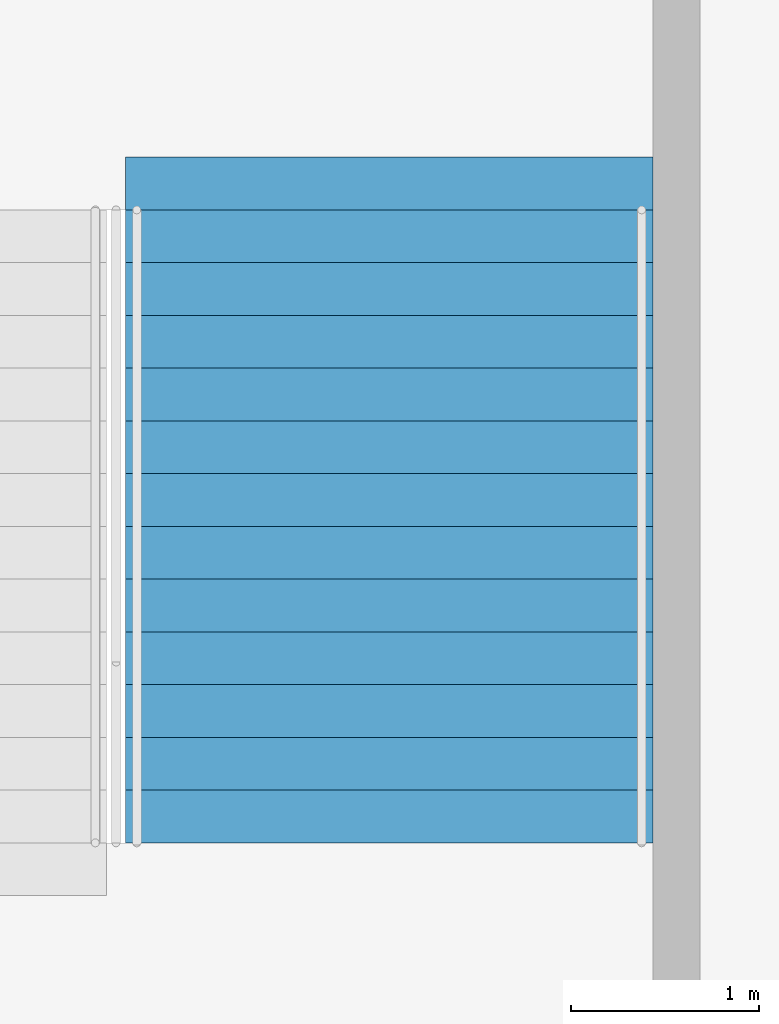
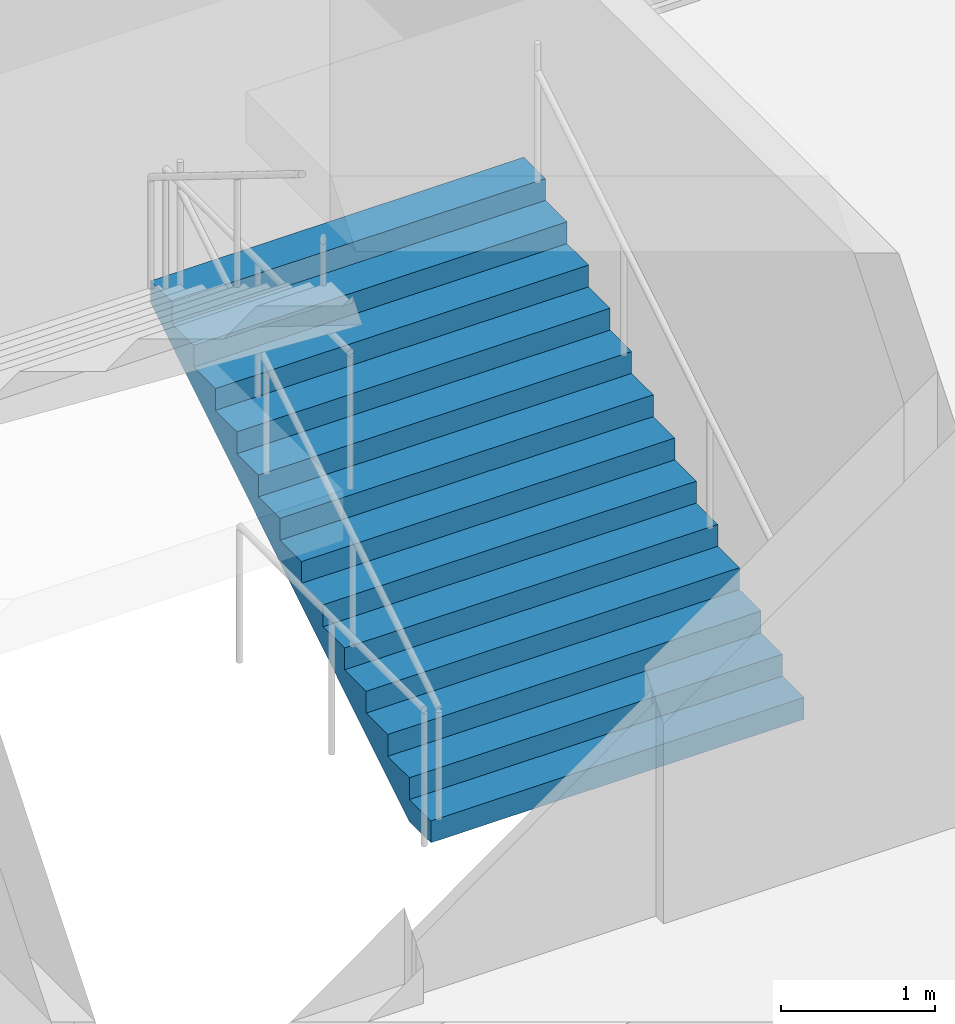
# One storey, part 165 of 199: 1 stair flight, 1 element without a shape of its own.
"""IFC4 building model written with IfcOpenShell, lengths in metres."""

from ifc_helpers import new_model, si_unit, direction, frame, origin, place, context, subcontext, project, spatial, faceted_brep, material, type_object, element, aggregate, save


model = new_model("IFC4")

# Units and contexts
model_context = context("Model", 3, precision=1e-05, world=origin(), true_north=direction((0.0, 1.0)))
body_context = subcontext(model_context, "Body", "Model", "MODEL_VIEW")
ifc_project = project(units=[si_unit("LENGTHUNIT", "METRE"), si_unit("AREAUNIT", "SQUARE_METRE"), si_unit("VOLUMEUNIT", "CUBIC_METRE"), si_unit("PLANEANGLEUNIT", "RADIAN"), si_unit("MASSUNIT", "GRAM", prefix="KILO")], contexts=[model_context])

# Site, building, storey
site_placement = place(None, origin())
site = spatial("IfcSite", under=ifc_project, at=site_placement, CompositionType="ELEMENT")
building_placement = place(site_placement, origin())
building = spatial("IfcBuilding", under=site, at=building_placement, Name="Ogive Plaza Stadium", CompositionType="ELEMENT")
storey_placement = place(building_placement, frame((0.0, 0.0, 4.5)))
storey = spatial("IfcBuildingStorey", under=building, at=storey_placement, Name="L01", CompositionType="ELEMENT", Elevation=4.5)

# Stair, stair flight
ifc_material_1 = material(Name="Concrete C40/50", Category="concrete")
stair_type = type_object("IfcStairType", Name="Exit stair", PredefinedType="STRAIGHT_RUN_STAIR", material=ifc_material_1)
stair_placement = place(storey_placement, origin())
stair = element("IfcStair", 1, at=stair_placement, inside=storey, type_object=stair_type, Name="Exit stair ST32A L01 to L02", PredefinedType="STRAIGHT_RUN_STAIR")
ifc_material_2 = material(Name="Concrete C40/50", Category="concrete")
stair_flight_type = type_object("IfcStairFlightType", Name="Exit stair flight", PredefinedType="STRAIGHT", material=ifc_material_2)
stair_flight_placement = place(storey_placement, frame((-29.574951171875, 94.85009765625, 0.0), z_axis=(0.0, 0.0, 1.0), x_axis=(0.0, 1.0, 0.0)))
stair_flight = element("IfcStairFlight", 2, at=stair_flight_placement, type_object=stair_flight_type, Name="ST32A flight 1", NumberOfRisers=13, NumberOfTreads=12, PredefinedType="STRAIGHT", RiserHeight=0.173076923, TreadLength=0.28, context=body_context, shape_type="Brep", body=[
    faceted_brep([(0.28515625, -1.39990234375, 0.0), (3.639892578125, -1.39990234375, 2.07373046875), (3.639892578125, -1.39990234375, 2.25), (3.360107421875, -1.39990234375, 2.25), (3.360107421875, -1.39990234375, 2.076904296875), (3.080078125, -1.39990234375, 2.076904296875), (3.080078125, -1.39990234375, 1.90380859375), (2.800048828125, -1.39990234375, 1.90380859375), (2.800048828125, -1.39990234375, 1.730712890625), (2.52001953125, -1.39990234375, 1.730712890625), (2.52001953125, -1.39990234375, 1.5576171875), (2.239990234375, -1.39990234375, 1.5576171875), (2.239990234375, -1.39990234375, 1.384521484375), (1.9599609375, -1.39990234375, 1.384521484375), (1.9599609375, -1.39990234375, 1.21142578125), (1.679931640625, -1.39990234375, 1.21142578125), (1.679931640625, -1.39990234375, 1.03857421875), (1.39990234375, -1.39990234375, 1.03857421875), (1.39990234375, -1.39990234375, 0.865478515625), (1.1201171875, -1.39990234375, 0.865478515625), (1.1201171875, -1.39990234375, 0.6923828125), (0.840087890625, -1.39990234375, 0.6923828125), (0.840087890625, -1.39990234375, 0.519287109375), (0.56005859375, -1.39990234375, 0.519287109375), (0.56005859375, -1.39990234375, 0.34619140625), (0.280029296875, -1.39990234375, 0.34619140625), (0.280029296875, -1.39990234375, 0.173095703125), (0.0, -1.39990234375, 0.173095703125), (0.0, -1.39990234375, 0.0), (0.0, 1.39990234375, 0.0), (0.0, 1.39990234375, 0.173095703125), (0.280029296875, 1.39990234375, 0.173095703125), (0.280029296875, 1.39990234375, 0.34619140625), (0.56005859375, 1.39990234375, 0.34619140625), (0.56005859375, 1.39990234375, 0.519287109375), (0.840087890625, 1.39990234375, 0.519287109375), (0.840087890625, 1.39990234375, 0.6923828125), (1.1201171875, 1.39990234375, 0.6923828125), (1.1201171875, 1.39990234375, 0.865478515625), (1.39990234375, 1.39990234375, 0.865478515625), (1.39990234375, 1.39990234375, 1.03857421875), (1.679931640625, 1.39990234375, 1.03857421875), (1.679931640625, 1.39990234375, 1.21142578125), (1.9599609375, 1.39990234375, 1.21142578125), (1.9599609375, 1.39990234375, 1.384521484375), (2.239990234375, 1.39990234375, 1.384521484375), (2.239990234375, 1.39990234375, 1.5576171875), (2.52001953125, 1.39990234375, 1.5576171875), (2.52001953125, 1.39990234375, 1.730712890625), (2.800048828125, 1.39990234375, 1.730712890625), (2.800048828125, 1.39990234375, 1.90380859375), (3.080078125, 1.39990234375, 1.90380859375), (3.080078125, 1.39990234375, 2.076904296875), (3.360107421875, 1.39990234375, 2.076904296875), (3.360107421875, 1.39990234375, 2.25), (3.639892578125, 1.39990234375, 2.25), (3.639892578125, 1.39990234375, 2.07373046875), (0.28515625, 1.39990234375, 0.0), (0.28515625, -1.0888671875, 0.0), (3.639892578125, -1.0888671875, 2.07373046875), (0.28515625, -0.77783203125, 0.0), (3.639892578125, -0.77783203125, 2.07373046875), (0.28515625, -0.466796875, 0.0), (3.639892578125, -0.466796875, 2.07373046875), (0.28515625, -0.155517578125, 0.0), (3.639892578125, -0.155517578125, 2.07373046875), (0.28515625, 0.155517578125, 0.0), (3.639892578125, 0.155517578125, 2.07373046875), (0.28515625, 0.466796875, 0.0), (3.639892578125, 0.466796875, 2.07373046875), (0.28515625, 0.77783203125, 0.0), (3.639892578125, 0.77783203125, 2.07373046875), (0.28515625, 1.0888671875, 0.0), (3.639892578125, 1.0888671875, 2.07373046875), (3.639892578125, -1.0888671875, 2.25), (3.639892578125, -0.77783203125, 2.25), (3.639892578125, -0.466796875, 2.25), (3.639892578125, -0.155517578125, 2.25), (3.639892578125, 0.155517578125, 2.25), (3.639892578125, 0.466796875, 2.25), (3.639892578125, 0.77783203125, 2.25), (3.639892578125, 1.0888671875, 2.25), (3.360107421875, -1.0888671875, 2.25), (3.360107421875, -0.77783203125, 2.25), (3.360107421875, -0.466796875, 2.25), (3.360107421875, -0.155517578125, 2.25), (3.360107421875, 0.155517578125, 2.25), (3.360107421875, 0.466796875, 2.25), (3.360107421875, 0.77783203125, 2.25), (3.360107421875, 1.0888671875, 2.25), (3.360107421875, -1.0888671875, 2.076904296875), (3.360107421875, -0.77783203125, 2.076904296875), (3.360107421875, -0.466796875, 2.076904296875), (3.360107421875, -0.155517578125, 2.076904296875), (3.360107421875, 0.155517578125, 2.076904296875), (3.360107421875, 0.466796875, 2.076904296875), (3.360107421875, 0.77783203125, 2.076904296875), (3.360107421875, 1.0888671875, 2.076904296875), (3.080078125, -1.0888671875, 2.076904296875), (3.080078125, -0.77783203125, 2.076904296875), (3.080078125, -0.466796875, 2.076904296875), (3.080078125, -0.155517578125, 2.076904296875), (3.080078125, 0.155517578125, 2.076904296875), (3.080078125, 0.466796875, 2.076904296875), (3.080078125, 0.77783203125, 2.076904296875), (3.080078125, 1.0888671875, 2.076904296875), (3.080078125, -1.0888671875, 1.90380859375), (3.080078125, -0.77783203125, 1.90380859375), (3.080078125, -0.466796875, 1.90380859375), (3.080078125, -0.155517578125, 1.90380859375), (3.080078125, 0.155517578125, 1.90380859375), (3.080078125, 0.466796875, 1.90380859375), (3.080078125, 0.77783203125, 1.90380859375), (3.080078125, 1.0888671875, 1.90380859375), (2.800048828125, -1.0888671875, 1.90380859375), (2.800048828125, -0.77783203125, 1.90380859375), (2.800048828125, -0.466796875, 1.90380859375), (2.800048828125, -0.155517578125, 1.90380859375), (2.800048828125, 0.155517578125, 1.90380859375), (2.800048828125, 0.466796875, 1.90380859375), (2.800048828125, 0.77783203125, 1.90380859375), (2.800048828125, 1.0888671875, 1.90380859375), (2.800048828125, -1.0888671875, 1.730712890625), (2.800048828125, -0.77783203125, 1.730712890625), (2.800048828125, -0.466796875, 1.730712890625), (2.800048828125, -0.155517578125, 1.730712890625), (2.800048828125, 0.155517578125, 1.730712890625), (2.800048828125, 0.466796875, 1.730712890625), (2.800048828125, 0.77783203125, 1.730712890625), (2.800048828125, 1.0888671875, 1.730712890625), (2.52001953125, -1.0888671875, 1.730712890625), (2.52001953125, -0.77783203125, 1.730712890625), (2.52001953125, -0.466796875, 1.730712890625), (2.52001953125, -0.155517578125, 1.730712890625), (2.52001953125, 0.155517578125, 1.730712890625), (2.52001953125, 0.466796875, 1.730712890625), (2.52001953125, 0.77783203125, 1.730712890625), (2.52001953125, 1.0888671875, 1.730712890625), (2.52001953125, -1.0888671875, 1.5576171875), (2.52001953125, -0.77783203125, 1.5576171875), (2.52001953125, -0.466796875, 1.5576171875), (2.52001953125, -0.155517578125, 1.5576171875), (2.52001953125, 0.155517578125, 1.5576171875), (2.52001953125, 0.466796875, 1.5576171875), (2.52001953125, 0.77783203125, 1.5576171875), (2.52001953125, 1.0888671875, 1.5576171875), (2.239990234375, -1.0888671875, 1.5576171875), (2.239990234375, -0.77783203125, 1.5576171875), (2.239990234375, -0.466796875, 1.5576171875), (2.239990234375, -0.155517578125, 1.5576171875), (2.239990234375, 0.155517578125, 1.5576171875), (2.239990234375, 0.466796875, 1.5576171875), (2.239990234375, 0.77783203125, 1.5576171875), (2.239990234375, 1.0888671875, 1.5576171875), (2.239990234375, -1.0888671875, 1.384521484375), (2.239990234375, -0.77783203125, 1.384521484375), (2.239990234375, -0.466796875, 1.384521484375), (2.239990234375, -0.155517578125, 1.384521484375), (2.239990234375, 0.155517578125, 1.384521484375), (2.239990234375, 0.466796875, 1.384521484375), (2.239990234375, 0.77783203125, 1.384521484375), (2.239990234375, 1.0888671875, 1.384521484375), (1.9599609375, -1.0888671875, 1.384521484375), (1.9599609375, -0.77783203125, 1.384521484375), (1.9599609375, -0.466796875, 1.384521484375), (1.9599609375, -0.155517578125, 1.384521484375), (1.9599609375, 0.155517578125, 1.384521484375), (1.9599609375, 0.466796875, 1.384521484375), (1.9599609375, 0.77783203125, 1.384521484375), (1.9599609375, 1.0888671875, 1.384521484375), (1.9599609375, -1.0888671875, 1.21142578125), (1.9599609375, -0.77783203125, 1.21142578125), (1.9599609375, -0.466796875, 1.21142578125), (1.9599609375, -0.155517578125, 1.21142578125), (1.9599609375, 0.155517578125, 1.21142578125), (1.9599609375, 0.466796875, 1.21142578125), (1.9599609375, 0.77783203125, 1.21142578125), (1.9599609375, 1.0888671875, 1.21142578125), (1.679931640625, -1.0888671875, 1.21142578125), (1.679931640625, -0.77783203125, 1.21142578125), (1.679931640625, -0.466796875, 1.21142578125), (1.679931640625, -0.155517578125, 1.21142578125), (1.679931640625, 0.155517578125, 1.21142578125), (1.679931640625, 0.466796875, 1.21142578125), (1.679931640625, 0.77783203125, 1.21142578125), (1.679931640625, 1.0888671875, 1.21142578125), (1.679931640625, -1.0888671875, 1.03857421875), (1.679931640625, -0.77783203125, 1.03857421875), (1.679931640625, -0.466796875, 1.03857421875), (1.679931640625, -0.155517578125, 1.03857421875), (1.679931640625, 0.155517578125, 1.03857421875), (1.679931640625, 0.466796875, 1.03857421875), (1.679931640625, 0.77783203125, 1.03857421875), (1.679931640625, 1.0888671875, 1.03857421875), (1.39990234375, -1.0888671875, 1.03857421875), (1.39990234375, -0.77783203125, 1.03857421875), (1.39990234375, -0.466796875, 1.03857421875), (1.39990234375, -0.155517578125, 1.03857421875), (1.39990234375, 0.155517578125, 1.03857421875), (1.39990234375, 0.466796875, 1.03857421875), (1.39990234375, 0.77783203125, 1.03857421875), (1.39990234375, 1.0888671875, 1.03857421875), (1.39990234375, -1.0888671875, 0.865478515625), (1.39990234375, -0.77783203125, 0.865478515625), (1.39990234375, -0.466796875, 0.865478515625), (1.39990234375, -0.155517578125, 0.865478515625), (1.39990234375, 0.155517578125, 0.865478515625), (1.39990234375, 0.466796875, 0.865478515625), (1.39990234375, 0.77783203125, 0.865478515625), (1.39990234375, 1.0888671875, 0.865478515625), (1.1201171875, -1.0888671875, 0.865478515625), (1.1201171875, -0.77783203125, 0.865478515625), (1.1201171875, -0.466796875, 0.865478515625), (1.1201171875, -0.155517578125, 0.865478515625), (1.1201171875, 0.155517578125, 0.865478515625), (1.1201171875, 0.466796875, 0.865478515625), (1.1201171875, 0.77783203125, 0.865478515625), (1.1201171875, 1.0888671875, 0.865478515625), (1.1201171875, -1.0888671875, 0.6923828125), (1.1201171875, -0.77783203125, 0.6923828125), (1.1201171875, -0.466796875, 0.6923828125), (1.1201171875, -0.155517578125, 0.6923828125), (1.1201171875, 0.155517578125, 0.6923828125), (1.1201171875, 0.466796875, 0.6923828125), (1.1201171875, 0.77783203125, 0.6923828125), (1.1201171875, 1.0888671875, 0.6923828125), (0.840087890625, -1.0888671875, 0.6923828125), (0.840087890625, -0.77783203125, 0.6923828125), (0.840087890625, -0.466796875, 0.6923828125), (0.840087890625, -0.155517578125, 0.6923828125), (0.840087890625, 0.155517578125, 0.6923828125), (0.840087890625, 0.466796875, 0.6923828125), (0.840087890625, 0.77783203125, 0.6923828125), (0.840087890625, 1.0888671875, 0.6923828125), (0.840087890625, -1.0888671875, 0.519287109375), (0.840087890625, -0.77783203125, 0.519287109375), (0.840087890625, -0.466796875, 0.519287109375), (0.840087890625, -0.155517578125, 0.519287109375), (0.840087890625, 0.155517578125, 0.519287109375), (0.840087890625, 0.466796875, 0.519287109375), (0.840087890625, 0.77783203125, 0.519287109375), (0.840087890625, 1.0888671875, 0.519287109375), (0.56005859375, -1.0888671875, 0.519287109375), (0.56005859375, -0.77783203125, 0.519287109375), (0.56005859375, -0.466796875, 0.519287109375), (0.56005859375, -0.155517578125, 0.519287109375), (0.56005859375, 0.155517578125, 0.519287109375), (0.56005859375, 0.466796875, 0.519287109375), (0.56005859375, 0.77783203125, 0.519287109375), (0.56005859375, 1.0888671875, 0.519287109375), (0.56005859375, -1.0888671875, 0.34619140625), (0.56005859375, -0.77783203125, 0.34619140625), (0.56005859375, -0.466796875, 0.34619140625), (0.56005859375, -0.155517578125, 0.34619140625), (0.56005859375, 0.155517578125, 0.34619140625), (0.56005859375, 0.466796875, 0.34619140625), (0.56005859375, 0.77783203125, 0.34619140625), (0.56005859375, 1.0888671875, 0.34619140625), (0.280029296875, -1.0888671875, 0.34619140625), (0.280029296875, -0.77783203125, 0.34619140625), (0.280029296875, -0.466796875, 0.34619140625), (0.280029296875, -0.155517578125, 0.34619140625), (0.280029296875, 0.155517578125, 0.34619140625), (0.280029296875, 0.466796875, 0.34619140625), (0.280029296875, 0.77783203125, 0.34619140625), (0.280029296875, 1.0888671875, 0.34619140625), (0.280029296875, -1.0888671875, 0.173095703125), (0.280029296875, -0.77783203125, 0.173095703125), (0.280029296875, -0.466796875, 0.173095703125), (0.280029296875, -0.155517578125, 0.173095703125), (0.280029296875, 0.155517578125, 0.173095703125), (0.280029296875, 0.466796875, 0.173095703125), (0.280029296875, 0.77783203125, 0.173095703125), (0.280029296875, 1.0888671875, 0.173095703125), (0.0, -1.0888671875, 0.173095703125), (0.0, -0.77783203125, 0.173095703125), (0.0, -0.466796875, 0.173095703125), (0.0, -0.155517578125, 0.173095703125), (0.0, 0.155517578125, 0.173095703125), (0.0, 0.466796875, 0.173095703125), (0.0, 0.77783203125, 0.173095703125), (0.0, 1.0888671875, 0.173095703125), (0.0, -1.0888671875, 0.0), (0.0, -0.77783203125, 0.0), (0.0, -0.466796875, 0.0), (0.0, -0.155517578125, 0.0), (0.0, 0.155517578125, 0.0), (0.0, 0.466796875, 0.0), (0.0, 0.77783203125, 0.0), (0.0, 1.0888671875, 0.0)], [[[0, 1, 2, 3, 4, 5, 6, 7, 8, 9, 10, 11, 12, 13, 14, 15, 16, 17, 18, 19, 20, 21, 22, 23, 24, 25, 26, 27, 28]], [[29, 30, 31, 32, 33, 34, 35, 36, 37, 38, 39, 40, 41, 42, 43, 44, 45, 46, 47, 48, 49, 50, 51, 52, 53, 54, 55, 56, 57]], [[0, 58, 59, 1]], [[58, 60, 61, 59]], [[60, 62, 63, 61]], [[62, 64, 65, 63]], [[64, 66, 67, 65]], [[66, 68, 69, 67]], [[68, 70, 71, 69]], [[70, 72, 73, 71]], [[72, 57, 56, 73]], [[1, 59, 74, 2]], [[59, 61, 75, 74]], [[61, 63, 76, 75]], [[63, 65, 77, 76]], [[65, 67, 78, 77]], [[67, 69, 79, 78]], [[69, 71, 80, 79]], [[71, 73, 81, 80]], [[73, 56, 55, 81]], [[2, 74, 82, 3]], [[74, 75, 83, 82]], [[75, 76, 84, 83]], [[76, 77, 85, 84]], [[77, 78, 86, 85]], [[78, 79, 87, 86]], [[79, 80, 88, 87]], [[80, 81, 89, 88]], [[81, 55, 54, 89]], [[3, 82, 90, 4]], [[82, 83, 91, 90]], [[83, 84, 92, 91]], [[84, 85, 93, 92]], [[85, 86, 94, 93]], [[86, 87, 95, 94]], [[87, 88, 96, 95]], [[88, 89, 97, 96]], [[89, 54, 53, 97]], [[4, 90, 98, 5]], [[90, 91, 99, 98]], [[91, 92, 100, 99]], [[92, 93, 101, 100]], [[93, 94, 102, 101]], [[94, 95, 103, 102]], [[95, 96, 104, 103]], [[96, 97, 105, 104]], [[97, 53, 52, 105]], [[5, 98, 106, 6]], [[98, 99, 107, 106]], [[99, 100, 108, 107]], [[100, 101, 109, 108]], [[101, 102, 110, 109]], [[102, 103, 111, 110]], [[103, 104, 112, 111]], [[104, 105, 113, 112]], [[105, 52, 51, 113]], [[6, 106, 114, 7]], [[106, 107, 115, 114]], [[107, 108, 116, 115]], [[108, 109, 117, 116]], [[109, 110, 118, 117]], [[110, 111, 119, 118]], [[111, 112, 120, 119]], [[112, 113, 121, 120]], [[113, 51, 50, 121]], [[7, 114, 122, 8]], [[114, 115, 123, 122]], [[115, 116, 124, 123]], [[116, 117, 125, 124]], [[117, 118, 126, 125]], [[118, 119, 127, 126]], [[119, 120, 128, 127]], [[120, 121, 129, 128]], [[121, 50, 49, 129]], [[8, 122, 130, 9]], [[122, 123, 131, 130]], [[123, 124, 132, 131]], [[124, 125, 133, 132]], [[125, 126, 134, 133]], [[126, 127, 135, 134]], [[127, 128, 136, 135]], [[128, 129, 137, 136]], [[129, 49, 48, 137]], [[9, 130, 138, 10]], [[130, 131, 139, 138]], [[131, 132, 140, 139]], [[132, 133, 141, 140]], [[133, 134, 142, 141]], [[134, 135, 143, 142]], [[135, 136, 144, 143]], [[136, 137, 145, 144]], [[137, 48, 47, 145]], [[10, 138, 146, 11]], [[138, 139, 147, 146]], [[139, 140, 148, 147]], [[140, 141, 149, 148]], [[141, 142, 150, 149]], [[142, 143, 151, 150]], [[143, 144, 152, 151]], [[144, 145, 153, 152]], [[145, 47, 46, 153]], [[11, 146, 154, 12]], [[146, 147, 155, 154]], [[147, 148, 156, 155]], [[148, 149, 157, 156]], [[149, 150, 158, 157]], [[150, 151, 159, 158]], [[151, 152, 160, 159]], [[152, 153, 161, 160]], [[153, 46, 45, 161]], [[12, 154, 162, 13]], [[154, 155, 163, 162]], [[155, 156, 164, 163]], [[156, 157, 165, 164]], [[157, 158, 166, 165]], [[158, 159, 167, 166]], [[159, 160, 168, 167]], [[160, 161, 169, 168]], [[161, 45, 44, 169]], [[13, 162, 170, 14]], [[162, 163, 171, 170]], [[163, 164, 172, 171]], [[164, 165, 173, 172]], [[165, 166, 174, 173]], [[166, 167, 175, 174]], [[167, 168, 176, 175]], [[168, 169, 177, 176]], [[169, 44, 43, 177]], [[14, 170, 178, 15]], [[170, 171, 179, 178]], [[171, 172, 180, 179]], [[172, 173, 181, 180]], [[173, 174, 182, 181]], [[174, 175, 183, 182]], [[175, 176, 184, 183]], [[176, 177, 185, 184]], [[177, 43, 42, 185]], [[15, 178, 186, 16]], [[178, 179, 187, 186]], [[179, 180, 188, 187]], [[180, 181, 189, 188]], [[181, 182, 190, 189]], [[182, 183, 191, 190]], [[183, 184, 192, 191]], [[184, 185, 193, 192]], [[185, 42, 41, 193]], [[16, 186, 194, 17]], [[186, 187, 195, 194]], [[187, 188, 196, 195]], [[188, 189, 197, 196]], [[189, 190, 198, 197]], [[190, 191, 199, 198]], [[191, 192, 200, 199]], [[192, 193, 201, 200]], [[193, 41, 40, 201]], [[17, 194, 202, 18]], [[194, 195, 203, 202]], [[195, 196, 204, 203]], [[196, 197, 205, 204]], [[197, 198, 206, 205]], [[198, 199, 207, 206]], [[199, 200, 208, 207]], [[200, 201, 209, 208]], [[201, 40, 39, 209]], [[18, 202, 210, 19]], [[202, 203, 211, 210]], [[203, 204, 212, 211]], [[204, 205, 213, 212]], [[205, 206, 214, 213]], [[206, 207, 215, 214]], [[207, 208, 216, 215]], [[208, 209, 217, 216]], [[209, 39, 38, 217]], [[19, 210, 218, 20]], [[210, 211, 219, 218]], [[211, 212, 220, 219]], [[212, 213, 221, 220]], [[213, 214, 222, 221]], [[214, 215, 223, 222]], [[215, 216, 224, 223]], [[216, 217, 225, 224]], [[217, 38, 37, 225]], [[20, 218, 226, 21]], [[218, 219, 227, 226]], [[219, 220, 228, 227]], [[220, 221, 229, 228]], [[221, 222, 230, 229]], [[222, 223, 231, 230]], [[223, 224, 232, 231]], [[224, 225, 233, 232]], [[225, 37, 36, 233]], [[21, 226, 234, 22]], [[226, 227, 235, 234]], [[227, 228, 236, 235]], [[228, 229, 237, 236]], [[229, 230, 238, 237]], [[230, 231, 239, 238]], [[231, 232, 240, 239]], [[232, 233, 241, 240]], [[233, 36, 35, 241]], [[22, 234, 242, 23]], [[234, 235, 243, 242]], [[235, 236, 244, 243]], [[236, 237, 245, 244]], [[237, 238, 246, 245]], [[238, 239, 247, 246]], [[239, 240, 248, 247]], [[240, 241, 249, 248]], [[241, 35, 34, 249]], [[23, 242, 250, 24]], [[242, 243, 251, 250]], [[243, 244, 252, 251]], [[244, 245, 253, 252]], [[245, 246, 254, 253]], [[246, 247, 255, 254]], [[247, 248, 256, 255]], [[248, 249, 257, 256]], [[249, 34, 33, 257]], [[24, 250, 258, 25]], [[250, 251, 259, 258]], [[251, 252, 260, 259]], [[252, 253, 261, 260]], [[253, 254, 262, 261]], [[254, 255, 263, 262]], [[255, 256, 264, 263]], [[256, 257, 265, 264]], [[257, 33, 32, 265]], [[25, 258, 266, 26]], [[258, 259, 267, 266]], [[259, 260, 268, 267]], [[260, 261, 269, 268]], [[261, 262, 270, 269]], [[262, 263, 271, 270]], [[263, 264, 272, 271]], [[264, 265, 273, 272]], [[265, 32, 31, 273]], [[26, 266, 274, 27]], [[266, 267, 275, 274]], [[267, 268, 276, 275]], [[268, 269, 277, 276]], [[269, 270, 278, 277]], [[270, 271, 279, 278]], [[271, 272, 280, 279]], [[272, 273, 281, 280]], [[273, 31, 30, 281]], [[27, 274, 282, 28]], [[274, 275, 283, 282]], [[275, 276, 284, 283]], [[276, 277, 285, 284]], [[277, 278, 286, 285]], [[278, 279, 287, 286]], [[279, 280, 288, 287]], [[280, 281, 289, 288]], [[281, 30, 29, 289]], [[28, 282, 58, 0]], [[282, 283, 60, 58]], [[283, 284, 62, 60]], [[284, 285, 64, 62]], [[285, 286, 66, 64]], [[286, 287, 68, 66]], [[287, 288, 70, 68]], [[288, 289, 72, 70]], [[289, 29, 57, 72]]]),
])
aggregate(stair, [stair_flight])

save(model, "model.ifc")
